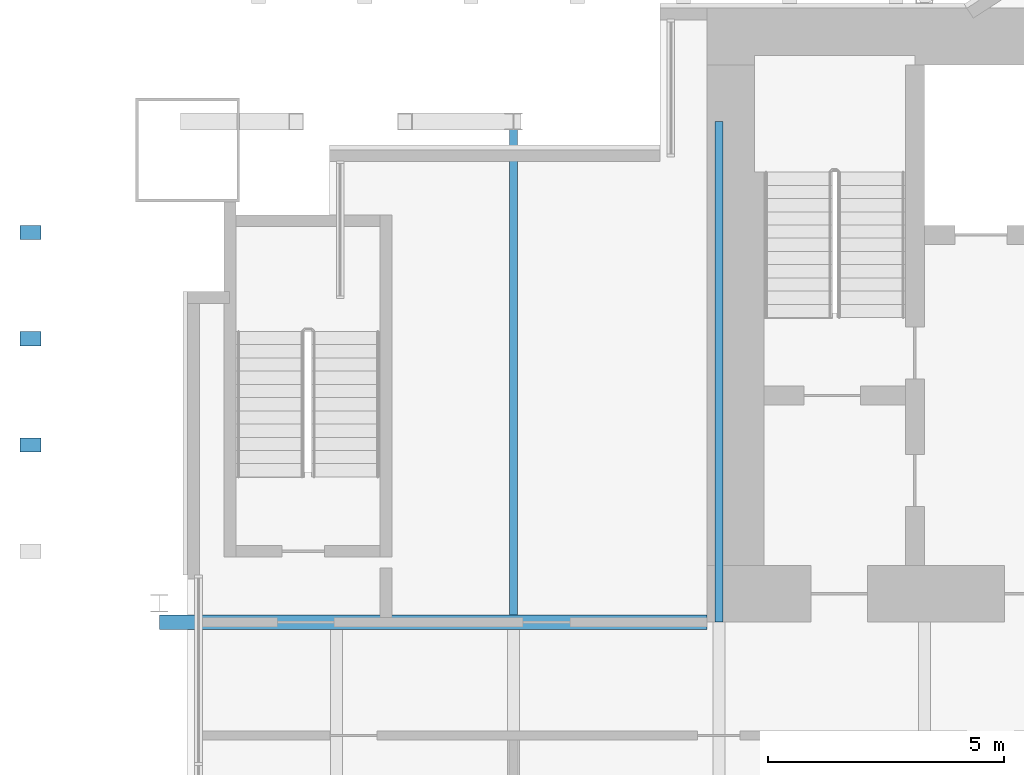
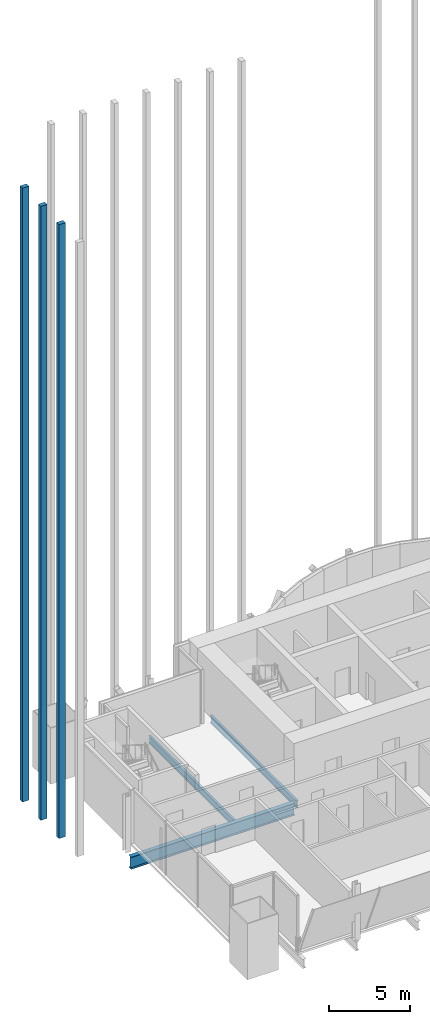
# One storey, part 8 of 28: 3 beams, 3 members, 1 element without a shape of its own.
"""IFC4 building model written with IfcOpenShell, lengths in metres."""

from ifc_helpers import new_model, si_unit, direction, frame, origin, origin_2d, place, context, subcontext, project, spatial, rectangle, i_section, extrude, material, material_profile, profile_set, type_object, element, aggregate, save


model = new_model("IFC4")

# Units and contexts
model_context = context("Model", 3, precision=1e-05, world=origin(), true_north=direction((0.0, 1.0)))
body_context = subcontext(model_context, "Body", "Model", "MODEL_VIEW")
ifc_project = project(units=[si_unit("LENGTHUNIT", "METRE"), si_unit("AREAUNIT", "SQUARE_METRE"), si_unit("VOLUMEUNIT", "CUBIC_METRE"), si_unit("PLANEANGLEUNIT", "RADIAN"), si_unit("MASSUNIT", "GRAM", prefix="KILO")], contexts=[model_context])

# Site, building, storey
site_placement = place(None, origin())
site = spatial("IfcSite", under=ifc_project, at=site_placement, CompositionType="ELEMENT")
building_placement = place(site_placement, origin())
building = spatial("IfcBuilding", under=site, at=building_placement, Name="Bicima Exchange Tower", CompositionType="ELEMENT")
storey_placement = place(building_placement, frame((0.0, 0.0, 241.39990234375)))
storey = spatial("IfcBuildingStorey", under=building, at=storey_placement, Name="L54", CompositionType="ELEMENT", Elevation=241.39990234375)

# Beams
ifc_material_1 = material(Name="Steel ASTM A992 Gr 50", Category="steel")
ifc_material_profile_1 = material_profile(ifc_material_1, i_section(OverallWidth=0.3046875, OverallDepth=0.911865234375, WebThickness=0.015869140625, FlangeThickness=0.02392578125, at=origin_2d()))
ifc_profile_set_1 = profile_set([ifc_material_profile_1], Name="Steel ASTM A992 Gr 50")
beam_type_1 = type_object("IfcBeamType", Name="Core-line girder W36x150", PredefinedType="BEAM", material=ifc_profile_set_1)
beam_1_placement = place(storey_placement, frame((-22.0, -13.0, -0.605712890625), z_axis=(-1.0, 0.0, 0.0), x_axis=(0.0, -1.0, 0.0)))
element("IfcBeam", 1, at=beam_1_placement, inside=storey, type_object=beam_type_1, Name="Core-line girder", PredefinedType="BEAM", context=body_context, shape_type="SweptSolid", body=[
    extrude(i_section(OverallWidth=0.3046875, OverallDepth=0.911865234375, WebThickness=0.015869140625, FlangeThickness=0.02392578125, at=origin_2d()), origin(), (0.0, 0.0, 1.0), 11.60009765625),
])
ifc_material_profile_2 = material_profile(ifc_material_1, i_section(OverallWidth=0.165771484375, OverallDepth=0.5283203125, WebThickness=0.009765625, FlangeThickness=0.013671875, at=origin_2d()))
ifc_profile_set_2 = profile_set([ifc_material_profile_2], Name="Steel ASTM A992 Gr 50")
beam_type_2 = type_object("IfcBeamType", Name="Floor beam W21x50", PredefinedType="JOIST", material=ifc_profile_set_2)
beam_2_placement = place(storey_placement, frame((-26.10009765625, -2.39990234375, -0.4140625), z_axis=(0.0, -1.0, 0.0), x_axis=(1.0, 0.0, 0.0)))
element("IfcBeam", 2, at=beam_2_placement, inside=storey, type_object=beam_type_2, Name="Floor beam", PredefinedType="JOIST", context=body_context, shape_type="SweptSolid", body=[
    extrude(i_section(OverallWidth=0.165771484375, OverallDepth=0.5283203125, WebThickness=0.009765625, FlangeThickness=0.013671875, at=origin_2d()), origin(), (0.0, 0.0, 1.0), 10.44775390625),
])
beam_3_placement = place(storey_placement, frame((-21.75, -2.39990234375, -0.4140625), z_axis=(0.0, -1.0, 0.0), x_axis=(1.0, 0.0, 0.0)))
element("IfcBeam", 3, at=beam_3_placement, inside=storey, type_object=beam_type_2, Name="Floor beam", PredefinedType="JOIST", context=body_context, shape_type="SweptSolid", body=[
    extrude(i_section(OverallWidth=0.165771484375, OverallDepth=0.5283203125, WebThickness=0.009765625, FlangeThickness=0.013671875, at=origin_2d()), origin(), (0.0, 0.0, 1.0), 10.60009765625),
])

# Curtain wall, members
ifc_material_2 = material(Name="Anodised bronze aluminium", Category="aluminium")
curtain_wall_type = type_object("IfcCurtainWallType", Name="Rear blade screen", PredefinedType="NOTDEFINED", material=ifc_material_2)
curtain_wall_placement = place(storey_placement, origin())
curtain_wall = element("IfcCurtainWall", 4, at=curtain_wall_placement, inside=storey, type_object=curtain_wall_type, Name="End blade screen L54-L64", PredefinedType="NOTDEFINED")
ifc_material_profile_3 = material_profile(ifc_material_2, rectangle(XDim=0.449951171875, YDim=0.300048828125, at=origin_2d()))
ifc_profile_set_3 = profile_set([ifc_material_profile_3], Name="Anodised bronze aluminium")
member_type = type_object("IfcMemberType", Name="Rear blade fin 450 x 300", PredefinedType="USERDEFINED", material=ifc_profile_set_3)
member_1_placement = place(storey_placement, frame((-36.324951171875, -9.25, 0.0), z_axis=(0.0, 0.0, 1.0), x_axis=(1.0, 0.0, 0.0)))
member_1 = element("IfcMember", 5, at=member_1_placement, type_object=member_type, Name="End blade fin L54-L64 2", ObjectType="FIN", PredefinedType="USERDEFINED", context=body_context, shape_type="SweptSolid", body=[
    extrude(rectangle(XDim=0.449951171875, YDim=0.300048828125, at=origin_2d()), origin(), (0.0, 0.0, 1.0), 46.0),
])
member_2_placement = place(storey_placement, frame((-36.324951171875, -7.0, 0.0), z_axis=(0.0, 0.0, 1.0), x_axis=(1.0, 0.0, 0.0)))
member_2 = element("IfcMember", 6, at=member_2_placement, type_object=member_type, Name="End blade fin L54-L64 3", ObjectType="FIN", PredefinedType="USERDEFINED", context=body_context, shape_type="SweptSolid", body=[
    extrude(rectangle(XDim=0.449951171875, YDim=0.300048828125, at=origin_2d()), origin(), (0.0, 0.0, 1.0), 46.0),
])
member_3_placement = place(storey_placement, frame((-36.324951171875, -4.75, 0.0), z_axis=(0.0, 0.0, 1.0), x_axis=(1.0, 0.0, 0.0)))
member_3 = element("IfcMember", 7, at=member_3_placement, type_object=member_type, Name="End blade fin L54-L64 4", ObjectType="FIN", PredefinedType="USERDEFINED", context=body_context, shape_type="SweptSolid", body=[
    extrude(rectangle(XDim=0.449951171875, YDim=0.300048828125, at=origin_2d()), origin(), (0.0, 0.0, 1.0), 46.0),
])
aggregate(curtain_wall, [member_1, member_2, member_3])

save(model, "model.ifc")
